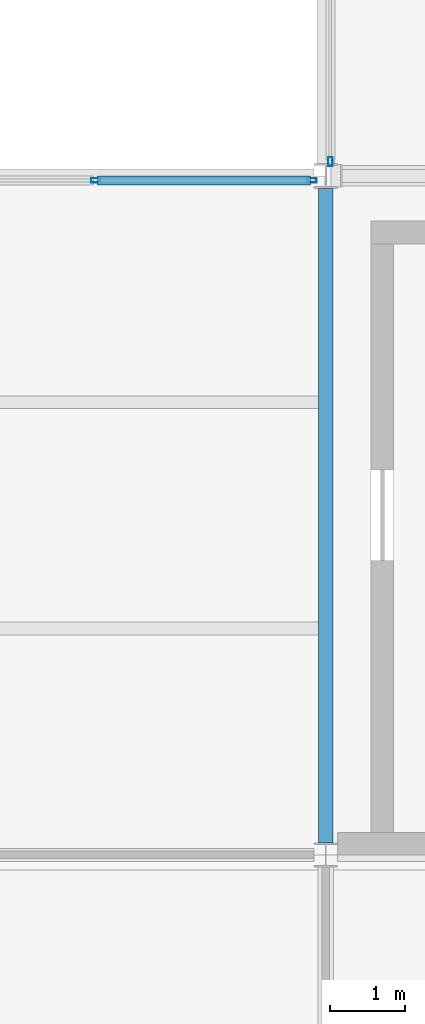
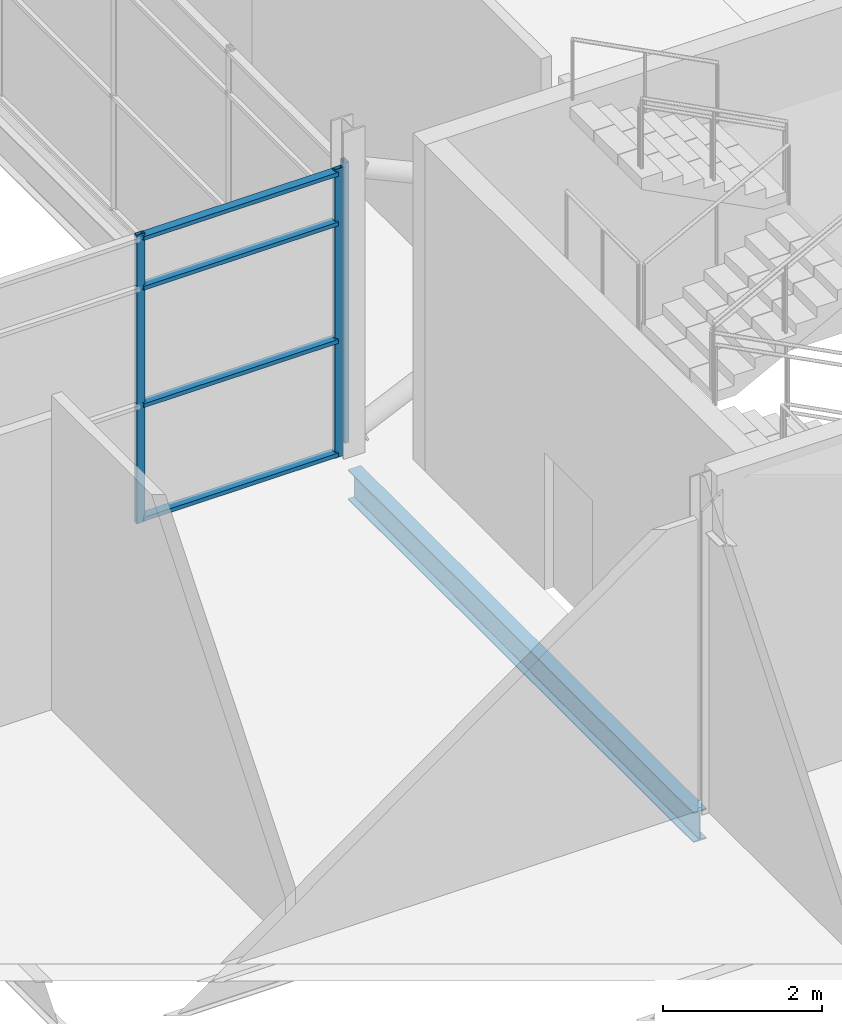
# One storey, part 34 of 115: 7 members, 1 beam, 2 elements without a shape of their own.
"""IFC4 building model written with IfcOpenShell, lengths in metres."""

from ifc_helpers import new_model, si_unit, direction, frame, origin, origin_2d, place, context, subcontext, project, spatial, hollow_rectangle, i_section, extrude, material, layer, layer_set, material_profile, profile_set, type_object, element, aggregate, save


model = new_model("IFC4")

# Units and contexts
model_context = context("Model", 3, precision=1e-05, world=origin(), true_north=direction((0.0, 1.0)))
body_context = subcontext(model_context, "Body", "Model", "MODEL_VIEW")
ifc_project = project(units=[si_unit("LENGTHUNIT", "METRE"), si_unit("AREAUNIT", "SQUARE_METRE"), si_unit("VOLUMEUNIT", "CUBIC_METRE"), si_unit("PLANEANGLEUNIT", "RADIAN"), si_unit("MASSUNIT", "GRAM", prefix="KILO")], contexts=[model_context])

# Site, building, storey
site_placement = place(None, origin())
site = spatial("IfcSite", under=ifc_project, at=site_placement, CompositionType="ELEMENT")
building_placement = place(site_placement, origin())
building = spatial("IfcBuilding", under=site, at=building_placement, Name="Shorebreak Coast Museum", CompositionType="ELEMENT")
storey_placement = place(building_placement, frame((0.0, 0.0, 11.0)))
storey = spatial("IfcBuildingStorey", under=building, at=storey_placement, Name="L02", CompositionType="ELEMENT", Elevation=11.0)

# Beam
ifc_material_1 = material(Name="Steel Grade 300", Category="steel")
ifc_material_profile_1 = material_profile(ifc_material_1, i_section(OverallWidth=0.19091796875, OverallDepth=0.46044921875, WebThickness=0.010009765625, FlangeThickness=0.01611328125, FilletRadius=0.011474609375, at=origin_2d()), Name="460UB82.1")
ifc_profile_set_1 = profile_set([ifc_material_profile_1], Name="Steel Grade 300")
beam_type = type_object("IfcBeamType", Name="Floor girder north-south 460UB82.1", PredefinedType="BEAM", material=ifc_profile_set_1)
beam_placement = place(storey_placement, frame((108.0, 54.160400390625, -0.4052734375), z_axis=(0.0, 1.0, 0.0), x_axis=(-1.0, 0.0, 0.0)))
element("IfcBeam", 1, at=beam_placement, inside=storey, type_object=beam_type, Name="Floor girder north-south L02 13G", PredefinedType="BEAM", context=body_context, shape_type="SweptSolid", body=[
    extrude(i_section(OverallWidth=0.19091796875, OverallDepth=0.46044921875, WebThickness=0.010009765625, FlangeThickness=0.01611328125, FilletRadius=0.011474609375, at=origin_2d()), origin(), (0.0, 0.0, 1.0), 8.676025390625),
])

# Curtain wall, members
ifc_material_2 = material(Name="Aluminium", Category="aluminium")
ifc_layer = layer(ifc_material_2, 0.1201171875)
ifc_layer_set = layer_set([ifc_layer], Name="Aluminium")
curtain_wall_type = type_object("IfcCurtainWallType", Name="Atrium fire screen", PredefinedType="NOTDEFINED", material=ifc_layer_set)
curtain_wall_1_placement = place(storey_placement, origin())
curtain_wall_1 = element("IfcCurtainWall", 2, at=curtain_wall_1_placement, inside=storey, type_object=curtain_wall_type, Name="Atrium screen L02 S 21", PredefinedType="NOTDEFINED")
ifc_material_3 = material(Name="Aluminium", Category="aluminium")
ifc_material_profile_2 = material_profile(ifc_material_3, hollow_rectangle(XDim=0.06005859375, YDim=0.1201171875, WallThickness=0.00341796875, at=origin_2d()), Name="AL 120x60 RHS")
ifc_profile_set_2 = profile_set([ifc_material_profile_2], Name="Aluminium")
member_type_1 = type_object("IfcMemberType", Name="Screen mullion 50 x 120", PredefinedType="MULLION", material=ifc_profile_set_2)
member_1_placement = place(storey_placement, frame((104.9482421875, 62.93994140625, 0.0), z_axis=(0.0, 0.0, 1.0), x_axis=(0.0, 1.0, 0.0)))
member_1 = element("IfcMember", 3, at=member_1_placement, type_object=member_type_1, Name="CW4 mullion 3", PredefinedType="MULLION", context=body_context, shape_type="SweptSolid", body=[
    extrude(hollow_rectangle(XDim=0.06005859375, YDim=0.1201171875, WallThickness=0.00341796875, at=origin_2d()), origin(), (0.0, 0.0, 1.0), 4.42236328125),
])
member_2_placement = place(storey_placement, frame((107.819580078125, 62.93994140625, 0.0), z_axis=(0.0, 0.0, 1.0), x_axis=(0.0, 1.0, 0.0)))
member_2 = element("IfcMember", 4, at=member_2_placement, type_object=member_type_1, Name="CW4 mullion 4", PredefinedType="MULLION", context=body_context, shape_type="SweptSolid", body=[
    extrude(hollow_rectangle(XDim=0.06005859375, YDim=0.1201171875, WallThickness=0.00341796875, at=origin_2d()), origin(), (0.0, 0.0, 1.0), 4.42236328125),
])

# Curtain wall, member
curtain_wall_2_placement = place(storey_placement, origin())
curtain_wall_2 = element("IfcCurtainWall", 5, at=curtain_wall_2_placement, inside=storey, type_object=curtain_wall_type, Name="Atrium screen L02 E 30", PredefinedType="NOTDEFINED")
member_3_placement = place(storey_placement, frame((108.06005859375, 63.188720703125, 0.0), z_axis=(0.0, 0.0, 1.0), x_axis=(-1.0, 0.0, 0.0)))
member_3 = element("IfcMember", 6, at=member_3_placement, type_object=member_type_1, Name="CW4 mullion 1", PredefinedType="MULLION", context=body_context, shape_type="SweptSolid", body=[
    extrude(hollow_rectangle(XDim=0.06005859375, YDim=0.1201171875, WallThickness=0.00341796875, at=origin_2d()), origin(), (0.0, 0.0, 1.0), 4.296875),
])
aggregate(curtain_wall_2, [member_3])

# Member
ifc_material_4 = material(Name="Aluminium", Category="aluminium")
ifc_material_profile_3 = material_profile(ifc_material_4, hollow_rectangle(XDim=0.1201171875, YDim=0.06005859375, WallThickness=0.00341796875, at=origin_2d()), Name="AL 60x120 RHS")
ifc_profile_set_3 = profile_set([ifc_material_profile_3], Name="Aluminium")
member_type_2 = type_object("IfcMemberType", Name="Screen transom 120 x 50", PredefinedType="USERDEFINED", material=ifc_profile_set_3)
member_4_placement = place(storey_placement, frame((104.97314453125, 62.93994140625, 0.06005859375), z_axis=(1.0, 0.0, 0.0), x_axis=(0.0, 1.0, 0.0)))
member_4 = element("IfcMember", 7, at=member_4_placement, type_object=member_type_2, Name="CW4 transom 3.1", ObjectType="TRANSOM", PredefinedType="USERDEFINED", context=body_context, shape_type="SweptSolid", body=[
    extrude(hollow_rectangle(XDim=0.1201171875, YDim=0.06005859375, WallThickness=0.00341796875, at=origin_2d()), origin(), (0.0, 0.0, 1.0), 2.8212890625),
])

member_5_placement = place(storey_placement, frame((104.97314453125, 62.93994140625, 1.800048828125), z_axis=(1.0, 0.0, 0.0), x_axis=(0.0, 1.0, 0.0)))
member_5 = element("IfcMember", 8, at=member_5_placement, type_object=member_type_2, Name="CW4 transom 3.2", ObjectType="TRANSOM", PredefinedType="USERDEFINED", context=body_context, shape_type="SweptSolid", body=[
    extrude(hollow_rectangle(XDim=0.1201171875, YDim=0.06005859375, WallThickness=0.00341796875, at=origin_2d()), origin(), (0.0, 0.0, 1.0), 2.8212890625),
])

member_6_placement = place(storey_placement, frame((104.97314453125, 62.93994140625, 3.60009765625), z_axis=(1.0, 0.0, 0.0), x_axis=(0.0, 1.0, 0.0)))
member_6 = element("IfcMember", 9, at=member_6_placement, type_object=member_type_2, Name="CW4 transom 3.3", ObjectType="TRANSOM", PredefinedType="USERDEFINED", context=body_context, shape_type="SweptSolid", body=[
    extrude(hollow_rectangle(XDim=0.1201171875, YDim=0.06005859375, WallThickness=0.00341796875, at=origin_2d()), origin(), (0.0, 0.0, 1.0), 2.8212890625),
])

member_7_placement = place(storey_placement, frame((104.97314453125, 62.93994140625, 4.3623046875), z_axis=(1.0, 0.0, 0.0), x_axis=(0.0, 1.0, 0.0)))
member_7 = element("IfcMember", 10, at=member_7_placement, type_object=member_type_2, Name="CW4 transom 3.4", ObjectType="TRANSOM", PredefinedType="USERDEFINED", context=body_context, shape_type="SweptSolid", body=[
    extrude(hollow_rectangle(XDim=0.1201171875, YDim=0.06005859375, WallThickness=0.00341796875, at=origin_2d()), origin(), (0.0, 0.0, 1.0), 2.8212890625),
])

aggregate(curtain_wall_1, [member_1, member_2, member_4, member_5, member_6, member_7])

save(model, "model.ifc")
